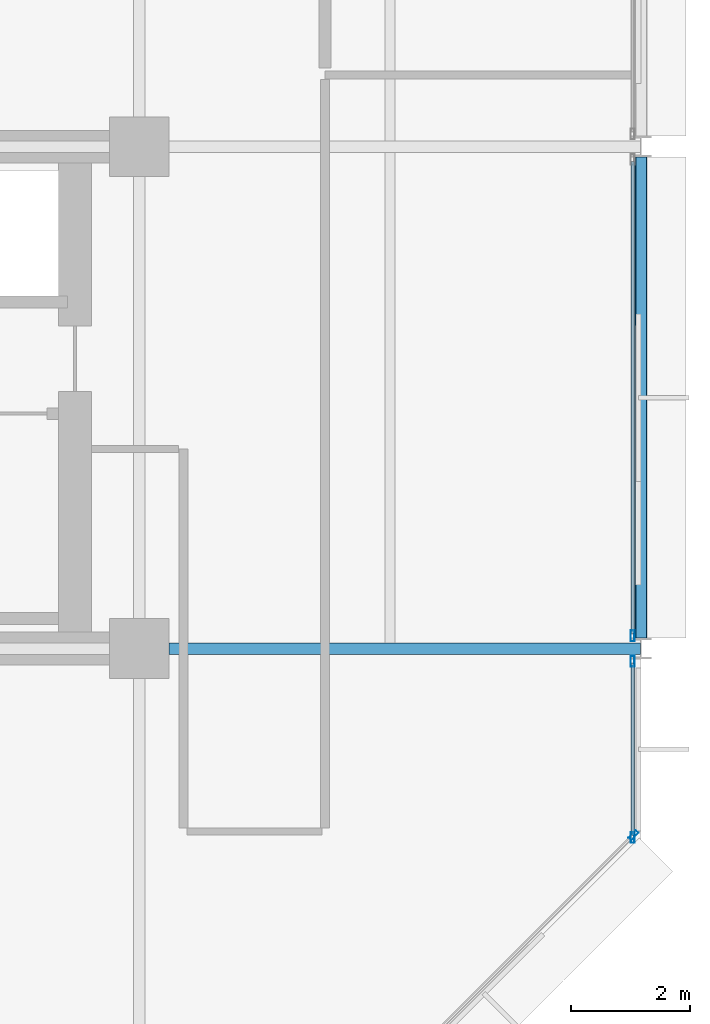
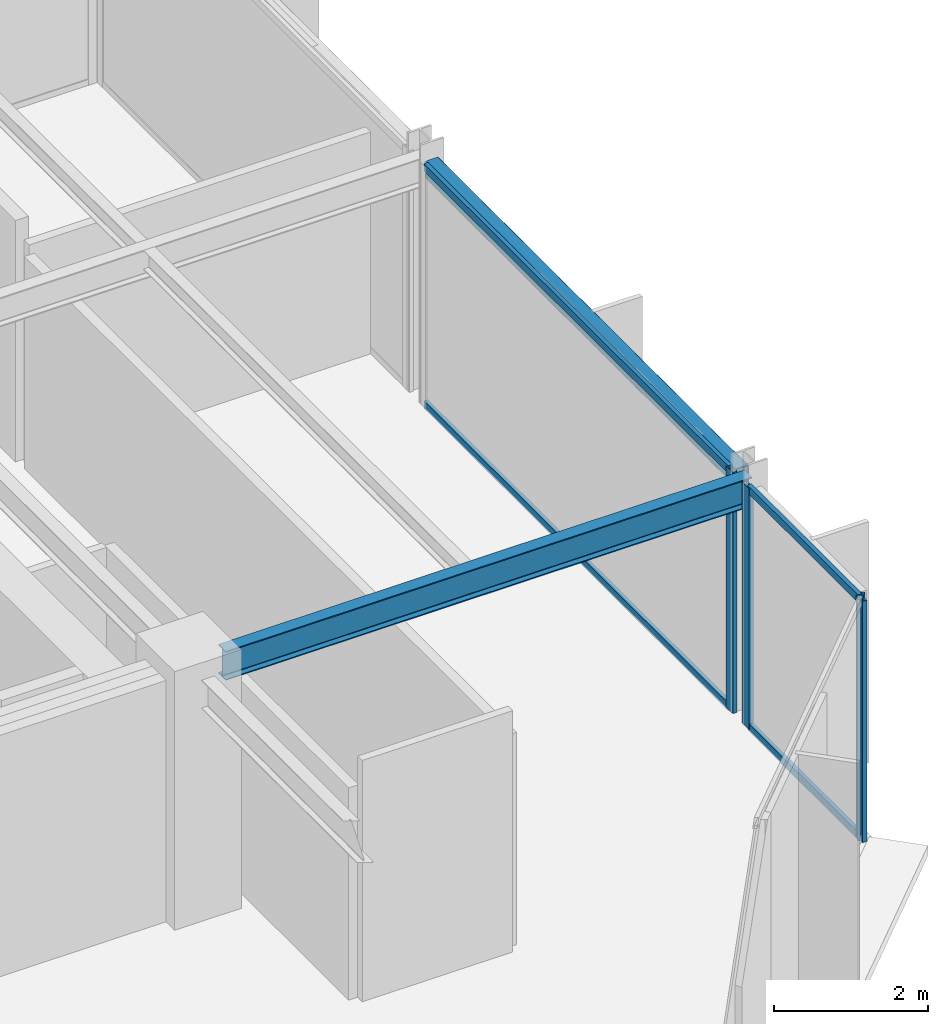
# One storey, part 13 of 30: 8 members, 2 beams, 3 elements without a shape of their own.
"""IFC4 building model written with IfcOpenShell, lengths in metres."""

from ifc_helpers import new_model, si_unit, direction, frame, origin, origin_2d, place, context, subcontext, project, spatial, hollow_rectangle, i_section, extrude, material, layer, layer_set, material_profile, profile_set, type_object, element, aggregate, save


model = new_model("IFC4")

# Units and contexts
model_context = context("Model", 3, precision=1e-05, world=origin(), true_north=direction((0.0, 1.0)))
body_context = subcontext(model_context, "Body", "Model", "MODEL_VIEW")
ifc_project = project(units=[si_unit("LENGTHUNIT", "METRE"), si_unit("AREAUNIT", "SQUARE_METRE"), si_unit("VOLUMEUNIT", "CUBIC_METRE"), si_unit("PLANEANGLEUNIT", "RADIAN"), si_unit("MASSUNIT", "GRAM", prefix="KILO")], contexts=[model_context])

# Site, building, storey
site_placement = place(None, origin())
site = spatial("IfcSite", under=ifc_project, at=site_placement, CompositionType="ELEMENT")
building_placement = place(site_placement, origin())
building = spatial("IfcBuilding", under=site, at=building_placement, Name="Nerrivon Quay Data Exchange", CompositionType="ELEMENT")
storey_placement = place(building_placement, frame((0.0, 0.0, 171.39990234375)))
storey = spatial("IfcBuildingStorey", under=building, at=storey_placement, Name="L40", CompositionType="ELEMENT", Elevation=171.39990234375)

# Beams
ifc_material_1 = material(Name="Steel Grade 350", Category="steel")
ifc_material_profile_1 = material_profile(ifc_material_1, i_section(OverallWidth=0.19091796875, OverallDepth=0.4599609375, WebThickness=0.010009765625, FlangeThickness=0.01611328125, FilletRadius=0.011474609375, at=origin_2d()), Name="460UB82.1")
ifc_profile_set_1 = profile_set([ifc_material_profile_1], Name="Steel Grade 350")
beam_type_1 = type_object("IfcBeamType", Name="BM-G5-460UB82", PredefinedType="BEAM", material=ifc_profile_set_1)
beam_1_placement = place(storey_placement, frame((34.10009765625, 8.39990234375, 3.59521484375), z_axis=(1.0, 0.0, 0.0), x_axis=(0.0, 1.0, 0.0)))
element("IfcBeam", 1, at=beam_1_placement, inside=storey, type_object=beam_type_1, Name="L40 EW Girder Y=8.4 (33.6..42.0)", PredefinedType="BEAM", context=body_context, shape_type="SweptSolid", body=[
    extrude(i_section(OverallWidth=0.19091796875, OverallDepth=0.4599609375, WebThickness=0.010009765625, FlangeThickness=0.01611328125, FilletRadius=0.011474609375, at=origin_2d()), origin(), (0.0, 0.0, 1.0), 7.889892578125),
])
ifc_material_2 = material(Name="Steel Grade C350L0 (350 MPa)", Category="steel")
ifc_material_profile_2 = material_profile(ifc_material_2, hollow_rectangle(XDim=0.199951171875, YDim=0.300048828125, WallThickness=0.012451171875, InnerFilletRadius=0.018798828125, OuterFilletRadius=0.03125, at=origin_2d()), Name="300x200x12.5RHS")
ifc_profile_set_2 = profile_set([ifc_material_profile_2], Name="Steel Grade C350L0 (350 MPa)")
beam_type_2 = type_object("IfcBeamType", Name="BM-SP3-300x200RHS", PredefinedType="SPANDREL", material=ifc_profile_set_2)
beam_2_placement = place(storey_placement, frame((42.0, 8.574951171875, 3.675048828125), z_axis=(0.0, 1.0, 0.0), x_axis=(-1.0, 0.0, 0.0)))
element("IfcBeam", 2, at=beam_2_placement, inside=storey, type_object=beam_type_2, Name="L40 NS Girder X=42.0 (8.4..16.8)", PredefinedType="SPANDREL", context=body_context, shape_type="SweptSolid", body=[
    extrude(hollow_rectangle(XDim=0.199951171875, YDim=0.300048828125, WallThickness=0.012451171875, InnerFilletRadius=0.018798828125, OuterFilletRadius=0.03125, at=origin_2d()), origin(), (0.0, 0.0, 1.0), 8.050048828125),
])

# Curtain wall, member
ifc_material_3 = material(Name="Anodised aluminium 6063-T6", Category="aluminium")
ifc_layer = layer(ifc_material_3, 0.195068359375)
ifc_layer_set = layer_set([ifc_layer], Name="Anodised aluminium 6063-T6")
curtain_wall_type = type_object("IfcCurtainWallType", Name="CW-SYS-06", PredefinedType="NOTDEFINED", material=ifc_layer_set)
curtain_wall_1_placement = place(storey_placement, origin())
curtain_wall_1 = element("IfcCurtainWall", 3, at=curtain_wall_1_placement, inside=storey, type_object=curtain_wall_type, Name="L40 Unitised Curtain Wall 19", PredefinedType="NOTDEFINED")
ifc_material_profile_3 = material_profile(ifc_material_3, hollow_rectangle(XDim=0.06494140625, YDim=0.179931640625, WallThickness=0.00341796875, at=origin_2d()), Name="ALU-MULL-180x65")
ifc_profile_set_3 = profile_set([ifc_material_profile_3], Name="Anodised aluminium 6063-T6")
member_type_1 = type_object("IfcMemberType", Name="CWM-180x65", PredefinedType="MULLION", material=ifc_profile_set_3)
member_1_placement = place(storey_placement, frame((41.860107421875, 8.612548828125, 0.0), z_axis=(0.0, 0.0, 1.0), x_axis=(1.0, 0.0, 0.0)))
member_1 = element("IfcMember", 4, at=member_1_placement, type_object=member_type_1, Name="CW06 mullion 2", PredefinedType="MULLION", context=body_context, shape_type="SweptSolid", body=[
    extrude(hollow_rectangle(XDim=0.06494140625, YDim=0.179931640625, WallThickness=0.00341796875, at=origin_2d()), origin(), (0.0, 0.0, 1.0), 3.8251953125),
])

# Curtain wall, members
curtain_wall_2_placement = place(storey_placement, origin())
curtain_wall_2 = element("IfcCurtainWall", 5, at=curtain_wall_2_placement, inside=storey, type_object=curtain_wall_type, Name="L40 Unitised Curtain Wall 20", PredefinedType="NOTDEFINED")
member_2_placement = place(storey_placement, frame((41.860107421875, 8.1875, 0.0), z_axis=(0.0, 0.0, 1.0), x_axis=(1.0, 0.0, 0.0)))
member_2 = element("IfcMember", 6, at=member_2_placement, type_object=member_type_1, Name="CW06 mullion 1", PredefinedType="MULLION", context=body_context, shape_type="SweptSolid", body=[
    extrude(hollow_rectangle(XDim=0.06494140625, YDim=0.179931640625, WallThickness=0.00341796875, at=origin_2d()), origin(), (0.0, 0.0, 1.0), 3.8251953125),
])
member_3_placement = place(storey_placement, frame((41.860107421875, 5.237548828125, 0.0), z_axis=(0.0, 0.0, 1.0), x_axis=(1.0, 0.0, 0.0)))
member_3 = element("IfcMember", 7, at=member_3_placement, type_object=member_type_1, Name="CW06 mullion 2", PredefinedType="MULLION", context=body_context, shape_type="SweptSolid", body=[
    extrude(hollow_rectangle(XDim=0.06494140625, YDim=0.179931640625, WallThickness=0.00341796875, at=origin_2d()), origin(), (0.0, 0.0, 1.0), 3.8251953125),
])

# Curtain wall, member
curtain_wall_3_placement = place(storey_placement, origin())
curtain_wall_3 = element("IfcCurtainWall", 8, at=curtain_wall_3_placement, inside=storey, type_object=curtain_wall_type, Name="L40 Unitised Curtain Wall 21", PredefinedType="NOTDEFINED")
member_4_placement = place(storey_placement, frame((41.87451171875, 5.2724609375, 0.0), z_axis=(0.0, 0.0, 1.0), x_axis=(0.707106781187, -0.707106781187, 0.0)))
member_4 = element("IfcMember", 9, at=member_4_placement, type_object=member_type_1, Name="CW06 mullion 1", PredefinedType="MULLION", context=body_context, shape_type="SweptSolid", body=[
    extrude(hollow_rectangle(XDim=0.06494140625, YDim=0.179931640625, WallThickness=0.00341796875, at=origin_2d()), origin(), (0.0, 0.0, 1.0), 3.8251953125),
])
aggregate(curtain_wall_3, [member_4])

# Member
ifc_material_profile_4 = material_profile(ifc_material_3, hollow_rectangle(XDim=0.06005859375, YDim=0.1201171875, WallThickness=0.003173828125, at=origin_2d()), Name="ALU-TRAN-120x60")
ifc_profile_set_4 = profile_set([ifc_material_profile_4], Name="Anodised aluminium 6063-T6")
member_type_2 = type_object("IfcMemberType", Name="CWT-120x60", PredefinedType="USERDEFINED", material=ifc_profile_set_4)
member_5_placement = place(storey_placement, frame((41.860107421875, 16.550048828125, 0.03271484375), z_axis=(0.0, -1.0, 0.0), x_axis=(1.0, 0.0, 0.0)))
member_5 = element("IfcMember", 10, at=member_5_placement, type_object=member_type_2, Name="CW06 transom 1.1", ObjectType="TRANSOM", PredefinedType="USERDEFINED", context=body_context, shape_type="SweptSolid", body=[
    extrude(hollow_rectangle(XDim=0.06005859375, YDim=0.1201171875, WallThickness=0.003173828125, at=origin_2d()), origin(), (0.0, 0.0, 1.0), 7.900146484375),
])

member_6_placement = place(storey_placement, frame((41.860107421875, 16.550048828125, 3.79248046875), z_axis=(0.0, -1.0, 0.0), x_axis=(1.0, 0.0, 0.0)))
member_6 = element("IfcMember", 11, at=member_6_placement, type_object=member_type_2, Name="CW06 transom 1.2", ObjectType="TRANSOM", PredefinedType="USERDEFINED", context=body_context, shape_type="SweptSolid", body=[
    extrude(hollow_rectangle(XDim=0.06005859375, YDim=0.1201171875, WallThickness=0.003173828125, at=origin_2d()), origin(), (0.0, 0.0, 1.0), 7.900146484375),
])

aggregate(curtain_wall_1, [member_1, member_5, member_6])

member_7_placement = place(storey_placement, frame((41.860107421875, 8.14990234375, 0.03271484375), z_axis=(0.0, -1.0, 0.0), x_axis=(1.0, 0.0, 0.0)))
member_7 = element("IfcMember", 12, at=member_7_placement, type_object=member_type_2, Name="CW06 transom 1.1", ObjectType="TRANSOM", PredefinedType="USERDEFINED", context=body_context, shape_type="SweptSolid", body=[
    extrude(hollow_rectangle(XDim=0.06005859375, YDim=0.1201171875, WallThickness=0.003173828125, at=origin_2d()), origin(), (0.0, 0.0, 1.0), 2.875),
])

member_8_placement = place(storey_placement, frame((41.860107421875, 8.14990234375, 3.79248046875), z_axis=(0.0, -1.0, 0.0), x_axis=(1.0, 0.0, 0.0)))
member_8 = element("IfcMember", 13, at=member_8_placement, type_object=member_type_2, Name="CW06 transom 1.2", ObjectType="TRANSOM", PredefinedType="USERDEFINED", context=body_context, shape_type="SweptSolid", body=[
    extrude(hollow_rectangle(XDim=0.06005859375, YDim=0.1201171875, WallThickness=0.003173828125, at=origin_2d()), origin(), (0.0, 0.0, 1.0), 2.875),
])

aggregate(curtain_wall_2, [member_2, member_3, member_7, member_8])

save(model, "model.ifc")
